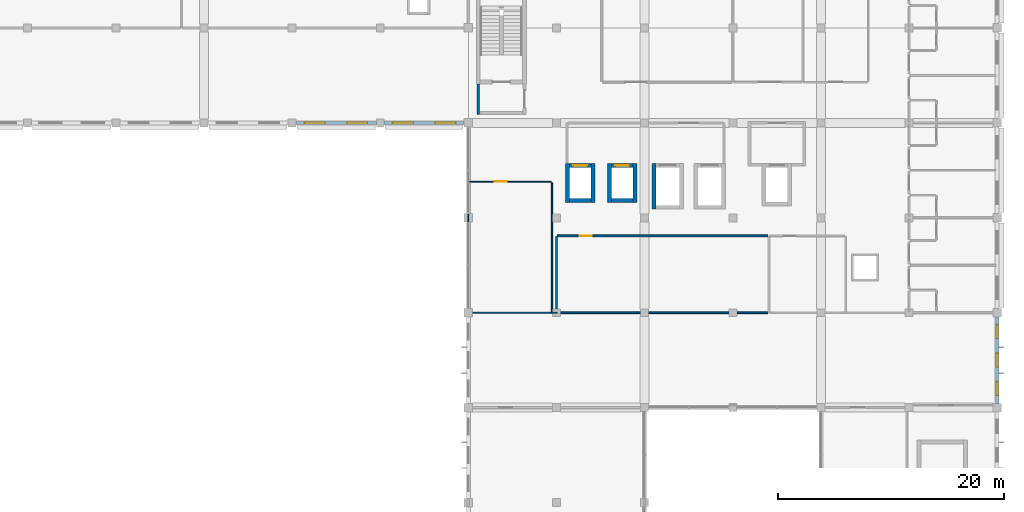
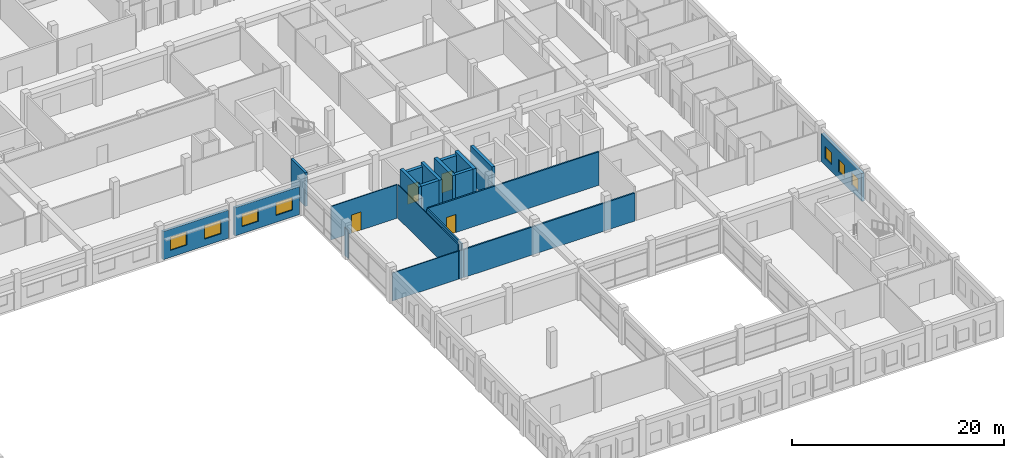
# One storey, part 33 of 53: 21 walls, 7 windows, 4 doors, 11 openings.
"""IFC4 building model written with IfcOpenShell, lengths in metres."""

from ifc_helpers import new_model, si_unit, direction, frame, frame_2d, origin, place, context, subcontext, project, spatial, rectangle, extrude, material, layer, layer_set, type_object, element, fill, save


model = new_model("IFC4")

# Units and contexts
model_context = context("Model", 3, precision=1e-05, world=origin(), true_north=direction((0.0, 1.0)))
body_context = subcontext(model_context, "Body", "Model", "MODEL_VIEW")
ifc_project = project(units=[si_unit("LENGTHUNIT", "METRE"), si_unit("AREAUNIT", "SQUARE_METRE"), si_unit("VOLUMEUNIT", "CUBIC_METRE"), si_unit("PLANEANGLEUNIT", "RADIAN"), si_unit("MASSUNIT", "GRAM", prefix="KILO"), si_unit("THERMODYNAMICTEMPERATUREUNIT", "KELVIN"), si_unit("POWERUNIT", "WATT")], contexts=[model_context])

# Site, building, storey
site_placement = place(None, origin())
site = spatial("IfcSite", under=ifc_project, at=site_placement, CompositionType="ELEMENT")
building_placement = place(site_placement, origin())
building = spatial("IfcBuilding", under=site, at=building_placement, Name="Srebrne Nadtorze General Hospital", CompositionType="ELEMENT")
storey_placement = place(building_placement, frame((0.0, 0.0, 18.0)))
storey = spatial("IfcBuildingStorey", under=building, at=storey_placement, Name="L04", CompositionType="ELEMENT", Elevation=18.0)

# Wall, opening, door
ifc_material_1 = material(Name="Gypsum Healthcare Partition")
ifc_layer_1 = layer(ifc_material_1, 0.159912109375)
ifc_layer_set_1 = layer_set([ifc_layer_1], Name="Gypsum Healthcare Partition")
wall_type_1 = type_object("IfcWallType", Name="Clinical partition 160", PredefinedType="PARTITIONING", material=ifc_layer_set_1)
wall_1_placement = place(storey_placement, frame((109.284912109375, 40.39990234375, 0.0), z_axis=(0.0, 0.0, 1.0), x_axis=(1.0, 0.0, 0.0)))
wall_1 = element("IfcWall", 1, at=wall_1_placement, inside=storey, type_object=wall_type_1, Name="Inpatient Family Consultation Room wall WL-INT-L04-1857", PredefinedType="PARTITIONING", context=body_context, shape_type="SweptSolid", body=[
    extrude(rectangle(XDim=18.630126953125, YDim=0.159912109375, at=frame_2d((9.31494140625, 0.0))), origin(), (0.0, 0.0, 1.0), 3.864990234375),
])
opening_1_placement = place(wall_1_placement, frame((1.98974609375, 0.0, 0.0)))
opening_1 = element("IfcOpeningElement", 2, at=opening_1_placement, cuts=wall_1, Name="Opening D-L04-0355", PredefinedType="OPENING", context=body_context, shape_type="SweptSolid", body=[
    extrude(rectangle(XDim=1.050048828125, YDim=2.10009765625, at=frame_2d((0.52490234375, 1.050048828125))), frame((0.0, 0.091796875, 0.0), z_axis=(0.0, -1.0, 0.0), x_axis=(1.0, 0.0, 0.0)), (0.0, 0.0, 1.0), 0.183837890625),
])
ifc_material_2 = material(Name="Anodised Aluminium", Category="aluminium")
door_type_1 = type_object("IfcDoorType", Name="Single leaf door 1050x2100", OperationType="NOTDEFINED", PredefinedType="DOOR", material=ifc_material_2)
door_1_placement = place(opening_1_placement, frame((1.050048828125, 0.0, 0.0), z_axis=(0.0, 0.0, 1.0), x_axis=(-1.0, 0.0, 0.0)))
door_1 = element("IfcDoor", 3, at=door_1_placement, inside=storey, type_object=door_type_1, Name="Inpatient Family Consultation Room door D-L04-0355", OperationType="SINGLE_SWING_RIGHT", OverallHeight=2.10009765625, OverallWidth=1.050048828125, PredefinedType="DOOR", context=body_context, shape_type="SweptSolid", body=[
    extrude(rectangle(XDim=1.050048828125, YDim=2.10009765625, at=frame_2d((0.52490234375, 1.050048828125))), frame((0.0, 0.02490234375, 0.0), z_axis=(0.0, -1.0, 0.0), x_axis=(1.0, 0.0, 0.0)), (0.0, 0.0, 1.0), 0.050048828125),
])
fill(opening_1, door_1)

# Walls
wall_2_placement = place(storey_placement, frame((109.284912109375, 33.60009765625, 0.0), z_axis=(0.0, 0.0, 1.0), x_axis=(1.0, 0.0, 0.0)))
element("IfcWall", 4, at=wall_2_placement, inside=storey, type_object=wall_type_1, Name="Inpatient Family Consultation Room wall WL-INT-L04-1858", PredefinedType="PARTITIONING", context=body_context, shape_type="SweptSolid", body=[
    extrude(rectangle(XDim=18.630126953125, YDim=0.159912109375, at=frame_2d((9.31494140625, 0.0))), origin(), (0.0, 0.0, 1.0), 3.235107421875),
])
wall_3_placement = place(storey_placement, frame((109.199951171875, 33.68505859375, 0.0), z_axis=(0.0, 0.0, 1.0), x_axis=(0.0, 1.0, 0.0)))
element("IfcWall", 5, at=wall_3_placement, inside=storey, type_object=wall_type_1, Name="Inpatient Family Consultation Room wall WL-INT-L04-1859", PredefinedType="PARTITIONING", context=body_context, shape_type="SweptSolid", body=[
    extrude(rectangle(XDim=6.6298828125, YDim=0.159912109375, at=frame_2d((3.31494140625, 0.0))), origin(), (0.0, 0.0, 1.0), 3.864990234375),
])
ifc_material_3 = material(Name="Gypsum Healthcare Partition")
ifc_layer_2 = layer(ifc_material_3, 0.239990234375)
ifc_layer_set_2 = layer_set([ifc_layer_2], Name="Gypsum Healthcare Partition")
wall_type_2 = type_object("IfcWallType", Name="Corridor fire wall 240", PredefinedType="STANDARD", material=ifc_layer_set_2)
wall_4_placement = place(storey_placement, frame((102.27490234375, 51.155029296875, 0.0), z_axis=(0.0, 0.0, 1.0), x_axis=(0.0, 1.0, 0.0)))
element("IfcWall", 6, at=wall_4_placement, inside=storey, type_object=wall_type_2, Name="Fire lobby wall ST-03 WL-INT-L04-0309", PredefinedType="STANDARD", context=body_context, shape_type="SweptSolid", body=[
    extrude(rectangle(XDim=2.695068359375, YDim=0.239990234375, at=frame_2d((1.34765625, 0.0))), origin(), (0.0, 0.0, 1.0), 3.885009765625),
])

# Wall, openings, windows
ifc_material_4 = material(Name="Concrete C40/50 precast", Category="concrete")
ifc_layer_3 = layer(ifc_material_4, 0.300048828125)
ifc_layer_set_3 = layer_set([ifc_layer_3], Name="Concrete C40/50 precast")
wall_type_3 = type_object("IfcWallType", Name="Limestone precast wall 300", PredefinedType="STANDARD", material=ifc_layer_set_3)
wall_5_placement = place(storey_placement, frame((148.199951171875, 25.574951171875, 0.0), z_axis=(0.0, 0.0, 1.0), x_axis=(0.0, 1.0, 0.0)))
wall_5 = element("IfcWall", 7, at=wall_5_placement, inside=storey, type_object=wall_type_3, Name="Exterior wall WL-ENV-L04-0396", PredefinedType="STANDARD", context=body_context, shape_type="SweptSolid", body=[
    extrude(rectangle(XDim=7.650146484375, YDim=0.300048828125, at=frame_2d((3.8251953125, 0.0))), origin(), (0.0, 0.0, 1.0), 3.235107421875),
])
opening_2_placement = place(wall_5_placement, frame((0.705078125, 0.0, 0.800048828125)))
opening_2 = element("IfcOpeningElement", 8, at=opening_2_placement, cuts=wall_5, Name="Opening WN-L04-0618", PredefinedType="OPENING", context=body_context, shape_type="SweptSolid", body=[
    extrude(rectangle(XDim=1.199951171875, YDim=1.39990234375, at=frame_2d((0.60009765625, 0.699951171875))), frame((0.0, 0.162109375, 0.0), z_axis=(0.0, -1.0, 0.0), x_axis=(1.0, 0.0, 0.0)), (0.0, 0.0, 1.0), 0.323974609375),
])
opening_3_placement = place(wall_5_placement, frame((3.22509765625, 0.0, 0.800048828125)))
opening_3 = element("IfcOpeningElement", 9, at=opening_3_placement, cuts=wall_5, Name="Opening WN-L04-0619", PredefinedType="OPENING", context=body_context, shape_type="SweptSolid", body=[
    extrude(rectangle(XDim=1.199951171875, YDim=1.39990234375, at=frame_2d((0.60009765625, 0.699951171875))), frame((0.0, 0.162109375, 0.0), z_axis=(0.0, -1.0, 0.0), x_axis=(1.0, 0.0, 0.0)), (0.0, 0.0, 1.0), 0.323974609375),
])
opening_4_placement = place(wall_5_placement, frame((5.7451171875, 0.0, 0.800048828125)))
opening_4 = element("IfcOpeningElement", 10, at=opening_4_placement, cuts=wall_5, Name="Opening WN-L04-0620", PredefinedType="OPENING", context=body_context, shape_type="SweptSolid", body=[
    extrude(rectangle(XDim=1.199951171875, YDim=1.39990234375, at=frame_2d((0.60009765625, 0.699951171875))), frame((0.0, 0.162109375, 0.0), z_axis=(0.0, -1.0, 0.0), x_axis=(1.0, 0.0, 0.0)), (0.0, 0.0, 1.0), 0.323974609375),
])
ifc_material_5 = material(Name="Triple Low-E Glazing", Category="glass")
window_type_1 = type_object("IfcWindowType", Name="Punched clinical window 1200x1400", PartitioningType="SINGLE_PANEL", PredefinedType="WINDOW", material=ifc_material_5)
window_1_placement = place(opening_2_placement, origin())
window_1 = element("IfcWindow", 11, at=window_1_placement, inside=storey, type_object=window_type_1, Name="Clinical window WN-L04-0618", OverallHeight=1.39990234375, OverallWidth=1.199951171875, PartitioningType="SINGLE_PANEL", PredefinedType="WINDOW", context=body_context, shape_type="SweptSolid", body=[
    extrude(rectangle(XDim=1.199951171875, YDim=1.39990234375, at=frame_2d((0.60009765625, 0.699951171875))), frame((0.0, 0.030029296875, 0.0), z_axis=(0.0, -1.0, 0.0), x_axis=(1.0, 0.0, 0.0)), (0.0, 0.0, 1.0), 0.06005859375),
])
fill(opening_2, window_1)
window_2_placement = place(opening_3_placement, origin())
window_2 = element("IfcWindow", 12, at=window_2_placement, inside=storey, type_object=window_type_1, Name="Clinical window WN-L04-0619", OverallHeight=1.39990234375, OverallWidth=1.199951171875, PartitioningType="SINGLE_PANEL", PredefinedType="WINDOW", context=body_context, shape_type="SweptSolid", body=[
    extrude(rectangle(XDim=1.199951171875, YDim=1.39990234375, at=frame_2d((0.60009765625, 0.699951171875))), frame((0.0, 0.030029296875, 0.0), z_axis=(0.0, -1.0, 0.0), x_axis=(1.0, 0.0, 0.0)), (0.0, 0.0, 1.0), 0.06005859375),
])
fill(opening_3, window_2)
window_3_placement = place(opening_4_placement, origin())
window_3 = element("IfcWindow", 13, at=window_3_placement, inside=storey, type_object=window_type_1, Name="Clinical window WN-L04-0620", OverallHeight=1.39990234375, OverallWidth=1.199951171875, PartitioningType="SINGLE_PANEL", PredefinedType="WINDOW", context=body_context, shape_type="SweptSolid", body=[
    extrude(rectangle(XDim=1.199951171875, YDim=1.39990234375, at=frame_2d((0.60009765625, 0.699951171875))), frame((0.0, 0.030029296875, 0.0), z_axis=(0.0, -1.0, 0.0), x_axis=(1.0, 0.0, 0.0)), (0.0, 0.0, 1.0), 0.06005859375),
])
fill(opening_4, window_3)

# Wall, opening, door
ifc_material_6 = material(Name="Gypsum Healthcare Partition")
ifc_layer_4 = layer(ifc_material_6, 0.10009765625)
ifc_layer_set_4 = layer_set([ifc_layer_4], Name="Gypsum Healthcare Partition")
wall_type_4 = type_object("IfcWallType", Name="Shaft lining wall 100", PredefinedType="PARTITIONING", material=ifc_layer_set_4)
wall_6_placement = place(storey_placement, frame((101.485107421875, 45.199951171875, 0.0), z_axis=(0.0, 0.0, 1.0), x_axis=(1.0, 0.0, 0.0)))
wall_6 = element("IfcWall", 14, at=wall_6_placement, inside=storey, type_object=wall_type_4, Name="Ward Clinical Pharmacy Satellite wall WL-INT-L04-1853", PredefinedType="PARTITIONING", context=body_context, shape_type="SweptSolid", body=[
    extrude(rectangle(XDim=7.22998046875, YDim=0.10009765625, at=frame_2d((3.614990234375, 0.0))), origin(), (0.0, 0.0, 1.0), 3.864990234375),
])
opening_5_placement = place(wall_6_placement, frame((2.254638671875, 0.0, 0.0)))
opening_5 = element("IfcOpeningElement", 15, at=opening_5_placement, cuts=wall_6, Name="Opening D-L04-0354", PredefinedType="OPENING", context=body_context, shape_type="SweptSolid", body=[
    extrude(rectangle(XDim=1.050048828125, YDim=2.10009765625, at=frame_2d((0.52490234375, 1.050048828125))), frame((0.0, 0.06201171875, 0.0), z_axis=(0.0, -1.0, 0.0), x_axis=(1.0, 0.0, 0.0)), (0.0, 0.0, 1.0), 0.1240234375),
])
door_2_placement = place(opening_5_placement, frame((1.050048828125, 0.0, 0.0), z_axis=(0.0, 0.0, 1.0), x_axis=(-1.0, 0.0, 0.0)))
door_2 = element("IfcDoor", 16, at=door_2_placement, inside=storey, type_object=door_type_1, Name="Ward Clinical Pharmacy Satellite door D-L04-0354", OperationType="SINGLE_SWING_RIGHT", OverallHeight=2.10009765625, OverallWidth=1.050048828125, PredefinedType="DOOR", context=body_context, shape_type="SweptSolid", body=[
    extrude(rectangle(XDim=1.050048828125, YDim=2.10009765625, at=frame_2d((0.52490234375, 1.050048828125))), frame((0.0, 0.02490234375, 0.0), z_axis=(0.0, -1.0, 0.0), x_axis=(1.0, 0.0, 0.0)), (0.0, 0.0, 1.0), 0.050048828125),
])
fill(opening_5, door_2)

# Walls
wall_7_placement = place(storey_placement, frame((101.485107421875, 33.60009765625, 0.0), z_axis=(0.0, 0.0, 1.0), x_axis=(1.0, 0.0, 0.0)))
element("IfcWall", 17, at=wall_7_placement, inside=storey, type_object=wall_type_4, Name="Ward Clinical Pharmacy Satellite wall WL-INT-L04-1854", PredefinedType="PARTITIONING", context=body_context, shape_type="SweptSolid", body=[
    extrude(rectangle(XDim=7.22998046875, YDim=0.10009765625, at=frame_2d((3.614990234375, 0.0))), origin(), (0.0, 0.0, 1.0), 3.235107421875),
])
wall_8_placement = place(storey_placement, frame((101.39990234375, 41.6650390625, 0.0), z_axis=(0.0, 0.0, 1.0), x_axis=(0.0, 1.0, 0.0)))
element("IfcWall", 18, at=wall_8_placement, inside=storey, type_object=wall_type_4, Name="Ward Clinical Pharmacy Satellite wall WL-INT-L04-1855", PredefinedType="PARTITIONING", context=body_context, shape_type="SweptSolid", body=[
    extrude(rectangle(XDim=0.669921875, YDim=0.10009765625, at=frame_2d((0.3349609375, 0.0))), origin(), (0.0, 0.0, 1.0), 3.235107421875),
])
wall_9_placement = place(storey_placement, frame((108.800048828125, 33.68505859375, 0.0), z_axis=(0.0, 0.0, 1.0), x_axis=(0.0, 1.0, 0.0)))
element("IfcWall", 19, at=wall_9_placement, inside=storey, type_object=wall_type_4, Name="Ward Clinical Pharmacy Satellite wall WL-INT-L04-1856", PredefinedType="PARTITIONING", context=body_context, shape_type="SweptSolid", body=[
    extrude(rectangle(XDim=11.429931640625, YDim=0.10009765625, at=frame_2d((5.71484375, 0.0))), origin(), (0.0, 0.0, 1.0), 3.864990234375),
])
wall_10_placement = place(storey_placement, frame((108.7548828125, 33.60009765625, 0.0), z_axis=(0.0, 0.0, 1.0), x_axis=(1.0, 0.0, 0.0)))
element("IfcWall", 20, at=wall_10_placement, inside=storey, type_object=wall_type_4, Name="Outpatient Oncology Day Infusion Ward wall WL-INT-L04-1919", PredefinedType="PARTITIONING", context=body_context, shape_type="SweptSolid", body=[
    extrude(rectangle(XDim=0.490234375, YDim=0.10009765625, at=frame_2d((0.2451171875, 0.0))), origin(), (0.0, 0.0, 1.0), 3.235107421875),
])
ifc_material_7 = material(Name="Concrete C40/50", Category="concrete")
ifc_layer_5 = layer(ifc_material_7, 0.35009765625)
ifc_layer_set_5 = layer_set([ifc_layer_5], Name="Concrete C40/50")
wall_type_5 = type_object("IfcWallType", Name="Shear core wall 350", PredefinedType="SHEAR", material=ifc_layer_set_5)
for number, where, z_axis, x_axis, name in (
    (21, (110.175048828125, 43.360107421875, 0.0), (0.0, 0.0, 1.0), (0.0, 1.0, 0.0), "Lift shaft wall LP-03 WL-INT-L04-0718"),
    (22, (112.425048828125, 43.360107421875, 0.0), (0.0, 0.0, 1.0), (0.0, 1.0, 0.0), "Lift shaft wall LP-03 WL-INT-L04-0719"),
):
    element("IfcWall", number, at=place(storey_placement, frame(where, z_axis=z_axis, x_axis=x_axis)), inside=storey, type_object=wall_type_5, Name=name, PredefinedType="SHEAR", context=body_context, shape_type="SweptSolid", body=[
        extrude(rectangle(XDim=3.449951171875, YDim=0.35009765625, at=frame_2d((1.72509765625, 0.0))), origin(), (0.0, 0.0, 1.0), 4.199951171875),
    ])
wall_11_placement = place(storey_placement, frame((110.35009765625, 43.534912109375, 0.0), z_axis=(0.0, 0.0, 1.0), x_axis=(1.0, 0.0, 0.0)))
element("IfcWall", 23, at=wall_11_placement, inside=storey, type_object=wall_type_5, Name="Lift shaft back wall LP-03 WL-INT-L04-0720", PredefinedType="SHEAR", context=body_context, shape_type="SweptSolid", body=[
    extrude(rectangle(XDim=1.89990234375, YDim=0.35009765625, at=frame_2d((0.949951171875, 0.0))), origin(), (0.0, 0.0, 1.0), 4.199951171875),
])

# Wall, opening, door
wall_12_placement = place(storey_placement, frame((110.35009765625, 46.635009765625, 0.0), z_axis=(0.0, 0.0, 1.0), x_axis=(1.0, 0.0, 0.0)))
wall_12 = element("IfcWall", 24, at=wall_12_placement, inside=storey, type_object=wall_type_5, Name="Lift shaft front wall LP-03 WL-INT-L04-0721", PredefinedType="SHEAR", context=body_context, shape_type="SweptSolid", body=[
    extrude(rectangle(XDim=1.89990234375, YDim=0.35009765625, at=frame_2d((0.949951171875, 0.0))), origin(), (0.0, 0.0, 1.0), 3.885009765625),
])
opening_6_placement = place(wall_12_placement, frame((0.35009765625, 0.0, 0.0)))
opening_6 = element("IfcOpeningElement", 25, at=opening_6_placement, cuts=wall_12, Name="Opening LD-L04-064", PredefinedType="OPENING", context=body_context, shape_type="SweptSolid", body=[
    extrude(rectangle(XDim=1.199951171875, YDim=2.199951171875, at=frame_2d((0.60009765625, 1.10009765625))), frame((0.0, 0.18701171875, 0.0), z_axis=(0.0, -1.0, 0.0), x_axis=(1.0, 0.0, 0.0)), (0.0, 0.0, 1.0), 0.3740234375),
])
ifc_material_8 = material(Name="Anodised Aluminium", Category="aluminium")
door_type_2 = type_object("IfcDoorType", Name="Sliding lift door 1200x2200", OperationType="SLIDING_TO_LEFT", PredefinedType="DOOR", material=ifc_material_8)
door_3_placement = place(opening_6_placement, origin())
door_3 = element("IfcDoor", 26, at=door_3_placement, inside=storey, type_object=door_type_2, Name="Lift Landing Door LD-L04-064", OperationType="SLIDING_TO_LEFT", OverallHeight=2.199951171875, OverallWidth=1.199951171875, PredefinedType="DOOR", context=body_context, shape_type="SweptSolid", body=[
    extrude(rectangle(XDim=1.199951171875, YDim=2.199951171875, at=frame_2d((0.60009765625, 1.10009765625))), frame((0.0, 0.02490234375, 0.0), z_axis=(0.0, -1.0, 0.0), x_axis=(1.0, 0.0, 0.0)), (0.0, 0.0, 1.0), 0.050048828125),
])
fill(opening_6, door_3)

# Walls
for number, where, z_axis, x_axis, name in (
    (27, (113.875, 43.360107421875, 0.0), (0.0, 0.0, 1.0), (0.0, 1.0, 0.0), "Lift shaft wall LP-04 WL-INT-L04-0750"),
    (28, (116.125, 43.360107421875, 0.0), (0.0, 0.0, 1.0), (0.0, 1.0, 0.0), "Lift shaft wall LP-04 WL-INT-L04-0751"),
):
    element("IfcWall", number, at=place(storey_placement, frame(where, z_axis=z_axis, x_axis=x_axis)), inside=storey, type_object=wall_type_5, Name=name, PredefinedType="SHEAR", context=body_context, shape_type="SweptSolid", body=[
        extrude(rectangle(XDim=3.449951171875, YDim=0.35009765625, at=frame_2d((1.72509765625, 0.0))), origin(), (0.0, 0.0, 1.0), 4.199951171875),
    ])
wall_13_placement = place(storey_placement, frame((114.050048828125, 43.534912109375, 0.0), z_axis=(0.0, 0.0, 1.0), x_axis=(1.0, 0.0, 0.0)))
element("IfcWall", 29, at=wall_13_placement, inside=storey, type_object=wall_type_5, Name="Lift shaft back wall LP-04 WL-INT-L04-0752", PredefinedType="SHEAR", context=body_context, shape_type="SweptSolid", body=[
    extrude(rectangle(XDim=1.89990234375, YDim=0.35009765625, at=frame_2d((0.949951171875, 0.0))), origin(), (0.0, 0.0, 1.0), 4.199951171875),
])

# Wall, opening, door
wall_14_placement = place(storey_placement, frame((114.050048828125, 46.635009765625, 0.0), z_axis=(0.0, 0.0, 1.0), x_axis=(1.0, 0.0, 0.0)))
wall_14 = element("IfcWall", 30, at=wall_14_placement, inside=storey, type_object=wall_type_5, Name="Lift shaft front wall LP-04 WL-INT-L04-0753", PredefinedType="SHEAR", context=body_context, shape_type="SweptSolid", body=[
    extrude(rectangle(XDim=1.89990234375, YDim=0.35009765625, at=frame_2d((0.949951171875, 0.0))), origin(), (0.0, 0.0, 1.0), 3.885009765625),
])
opening_7_placement = place(wall_14_placement, frame((0.35009765625, 0.0, 0.0)))
opening_7 = element("IfcOpeningElement", 31, at=opening_7_placement, cuts=wall_14, Name="Opening LD-L04-072", PredefinedType="OPENING", context=body_context, shape_type="SweptSolid", body=[
    extrude(rectangle(XDim=1.199951171875, YDim=2.199951171875, at=frame_2d((0.60009765625, 1.10009765625))), frame((0.0, 0.18701171875, 0.0), z_axis=(0.0, -1.0, 0.0), x_axis=(1.0, 0.0, 0.0)), (0.0, 0.0, 1.0), 0.3740234375),
])
door_4_placement = place(opening_7_placement, origin())
door_4 = element("IfcDoor", 32, at=door_4_placement, inside=storey, type_object=door_type_2, Name="Lift Landing Door LD-L04-072", OperationType="SLIDING_TO_LEFT", OverallHeight=2.199951171875, OverallWidth=1.199951171875, PredefinedType="DOOR", context=body_context, shape_type="SweptSolid", body=[
    extrude(rectangle(XDim=1.199951171875, YDim=2.199951171875, at=frame_2d((0.60009765625, 1.10009765625))), frame((0.0, 0.02490234375, 0.0), z_axis=(0.0, -1.0, 0.0), x_axis=(1.0, 0.0, 0.0)), (0.0, 0.0, 1.0), 0.050048828125),
])
fill(opening_7, door_4)

# Wall
wall_15_placement = place(storey_placement, frame((117.824951171875, 42.760009765625, 0.0), z_axis=(0.0, 0.0, 1.0), x_axis=(0.0, 1.0, 0.0)))
element("IfcWall", 33, at=wall_15_placement, inside=storey, type_object=wall_type_5, Name="Lift shaft wall LS-03 WL-INT-L04-0782", PredefinedType="SHEAR", context=body_context, shape_type="SweptSolid", body=[
    extrude(rectangle(XDim=4.050048828125, YDim=0.35009765625, at=frame_2d((2.02490234375, 0.0))), origin(), (0.0, 0.0, 1.0), 4.199951171875),
])

# Wall, openings, windows
ifc_material_9 = material(Name="Concrete C35/45 precast", Category="concrete")
ifc_layer_6 = layer(ifc_material_9, 0.280029296875)
ifc_layer_set_6 = layer_set([ifc_layer_6], Name="Concrete C35/45 precast")
wall_type_6 = type_object("IfcWallType", Name="Spandrel wall 280", PredefinedType="STANDARD", material=ifc_layer_set_6)
wall_16_placement = place(storey_placement, frame((86.14990234375, 50.39990234375, 0.0), z_axis=(0.0, 0.0, 1.0), x_axis=(1.0, 0.0, 0.0)))
wall_16 = element("IfcWall", 34, at=wall_16_placement, inside=storey, type_object=wall_type_6, Name="Exterior wall WL-ENV-L04-0358", PredefinedType="STANDARD", context=body_context, shape_type="SweptSolid", body=[
    extrude(rectangle(XDim=7.10009765625, YDim=0.280029296875, at=frame_2d((3.550048828125, 0.0))), origin(), (0.0, 0.0, 1.0), 3.235107421875),
])
opening_8_placement = place(wall_16_placement, frame((0.778076171875, 0.0, 0.800048828125)))
opening_8 = element("IfcOpeningElement", 35, at=opening_8_placement, cuts=wall_16, Name="Opening WN-L04-0539", PredefinedType="OPENING", context=body_context, shape_type="SweptSolid", body=[
    extrude(rectangle(XDim=1.800048828125, YDim=1.550048828125, at=frame_2d((0.89990234375, 0.77490234375))), frame((0.0, 0.15185546875, 0.0), z_axis=(0.0, -1.0, 0.0), x_axis=(1.0, 0.0, 0.0)), (0.0, 0.0, 1.0), 0.303955078125),
])
opening_9_placement = place(wall_16_placement, frame((4.52197265625, 0.0, 0.800048828125)))
opening_9 = element("IfcOpeningElement", 36, at=opening_9_placement, cuts=wall_16, Name="Opening WN-L04-0540", PredefinedType="OPENING", context=body_context, shape_type="SweptSolid", body=[
    extrude(rectangle(XDim=1.800048828125, YDim=1.550048828125, at=frame_2d((0.89990234375, 0.77490234375))), frame((0.0, 0.15185546875, 0.0), z_axis=(0.0, -1.0, 0.0), x_axis=(1.0, 0.0, 0.0)), (0.0, 0.0, 1.0), 0.303955078125),
])
ifc_material_10 = material(Name="Triple Low-E Glazing", Category="glass")
window_type_2 = type_object("IfcWindowType", Name="Punched clinical window 1800x1550", PartitioningType="DOUBLE_PANEL_VERTICAL", PredefinedType="WINDOW", material=ifc_material_10)
window_4_placement = place(opening_8_placement, origin())
window_4 = element("IfcWindow", 37, at=window_4_placement, inside=storey, type_object=window_type_2, Name="Clinical window WN-L04-0539", OverallHeight=1.550048828125, OverallWidth=1.800048828125, PartitioningType="DOUBLE_PANEL_VERTICAL", PredefinedType="WINDOW", context=body_context, shape_type="SweptSolid", body=[
    extrude(rectangle(XDim=1.800048828125, YDim=1.550048828125, at=frame_2d((0.89990234375, 0.77490234375))), frame((0.0, 0.030029296875, 0.0), z_axis=(0.0, -1.0, 0.0), x_axis=(1.0, 0.0, 0.0)), (0.0, 0.0, 1.0), 0.06005859375),
])
fill(opening_8, window_4)
window_5_placement = place(opening_9_placement, origin())
window_5 = element("IfcWindow", 38, at=window_5_placement, inside=storey, type_object=window_type_2, Name="Clinical window WN-L04-0540", OverallHeight=1.550048828125, OverallWidth=1.800048828125, PartitioningType="DOUBLE_PANEL_VERTICAL", PredefinedType="WINDOW", context=body_context, shape_type="SweptSolid", body=[
    extrude(rectangle(XDim=1.800048828125, YDim=1.550048828125, at=frame_2d((0.89990234375, 0.77490234375))), frame((0.0, 0.030029296875, 0.0), z_axis=(0.0, -1.0, 0.0), x_axis=(1.0, 0.0, 0.0)), (0.0, 0.0, 1.0), 0.06005859375),
])
fill(opening_9, window_5)

wall_17_placement = place(storey_placement, frame((93.949951171875, 50.39990234375, 0.0), z_axis=(0.0, 0.0, 1.0), x_axis=(1.0, 0.0, 0.0)))
wall_17 = element("IfcWall", 39, at=wall_17_placement, inside=storey, type_object=wall_type_6, Name="Exterior wall WL-ENV-L04-0359", PredefinedType="STANDARD", context=body_context, shape_type="SweptSolid", body=[
    extrude(rectangle(XDim=7.074951171875, YDim=0.280029296875, at=frame_2d((3.53759765625, 0.0))), origin(), (0.0, 0.0, 1.0), 3.235107421875),
])
opening_10_placement = place(wall_17_placement, frame((0.778076171875, 0.0, 0.800048828125)))
opening_10 = element("IfcOpeningElement", 40, at=opening_10_placement, cuts=wall_17, Name="Opening WN-L04-0541", PredefinedType="OPENING", context=body_context, shape_type="SweptSolid", body=[
    extrude(rectangle(XDim=1.800048828125, YDim=1.449951171875, at=frame_2d((0.89990234375, 0.72509765625))), frame((0.0, 0.15185546875, 0.0), z_axis=(0.0, -1.0, 0.0), x_axis=(1.0, 0.0, 0.0)), (0.0, 0.0, 1.0), 0.303955078125),
])
opening_11_placement = place(wall_17_placement, frame((4.52197265625, 0.0, 0.800048828125)))
opening_11 = element("IfcOpeningElement", 41, at=opening_11_placement, cuts=wall_17, Name="Opening WN-L04-0542", PredefinedType="OPENING", context=body_context, shape_type="SweptSolid", body=[
    extrude(rectangle(XDim=1.800048828125, YDim=1.449951171875, at=frame_2d((0.89990234375, 0.72509765625))), frame((0.0, 0.15185546875, 0.0), z_axis=(0.0, -1.0, 0.0), x_axis=(1.0, 0.0, 0.0)), (0.0, 0.0, 1.0), 0.303955078125),
])
ifc_material_11 = material(Name="Triple Low-E Glazing", Category="glass")
window_type_3 = type_object("IfcWindowType", Name="Punched clinical window 1800x1450", PartitioningType="DOUBLE_PANEL_VERTICAL", PredefinedType="WINDOW", material=ifc_material_11)
window_6_placement = place(opening_10_placement, origin())
window_6 = element("IfcWindow", 42, at=window_6_placement, inside=storey, type_object=window_type_3, Name="Clinical window WN-L04-0541", OverallHeight=1.449951171875, OverallWidth=1.800048828125, PartitioningType="DOUBLE_PANEL_VERTICAL", PredefinedType="WINDOW", context=body_context, shape_type="SweptSolid", body=[
    extrude(rectangle(XDim=1.800048828125, YDim=1.449951171875, at=frame_2d((0.89990234375, 0.72509765625))), frame((0.0, 0.030029296875, 0.0), z_axis=(0.0, -1.0, 0.0), x_axis=(1.0, 0.0, 0.0)), (0.0, 0.0, 1.0), 0.06005859375),
])
fill(opening_10, window_6)
window_7_placement = place(opening_11_placement, origin())
window_7 = element("IfcWindow", 43, at=window_7_placement, inside=storey, type_object=window_type_3, Name="Clinical window WN-L04-0542", OverallHeight=1.449951171875, OverallWidth=1.800048828125, PartitioningType="DOUBLE_PANEL_VERTICAL", PredefinedType="WINDOW", context=body_context, shape_type="SweptSolid", body=[
    extrude(rectangle(XDim=1.800048828125, YDim=1.449951171875, at=frame_2d((0.89990234375, 0.72509765625))), frame((0.0, 0.030029296875, 0.0), z_axis=(0.0, -1.0, 0.0), x_axis=(1.0, 0.0, 0.0)), (0.0, 0.0, 1.0), 0.06005859375),
])
fill(opening_11, window_7)

save(model, "model.ifc")
